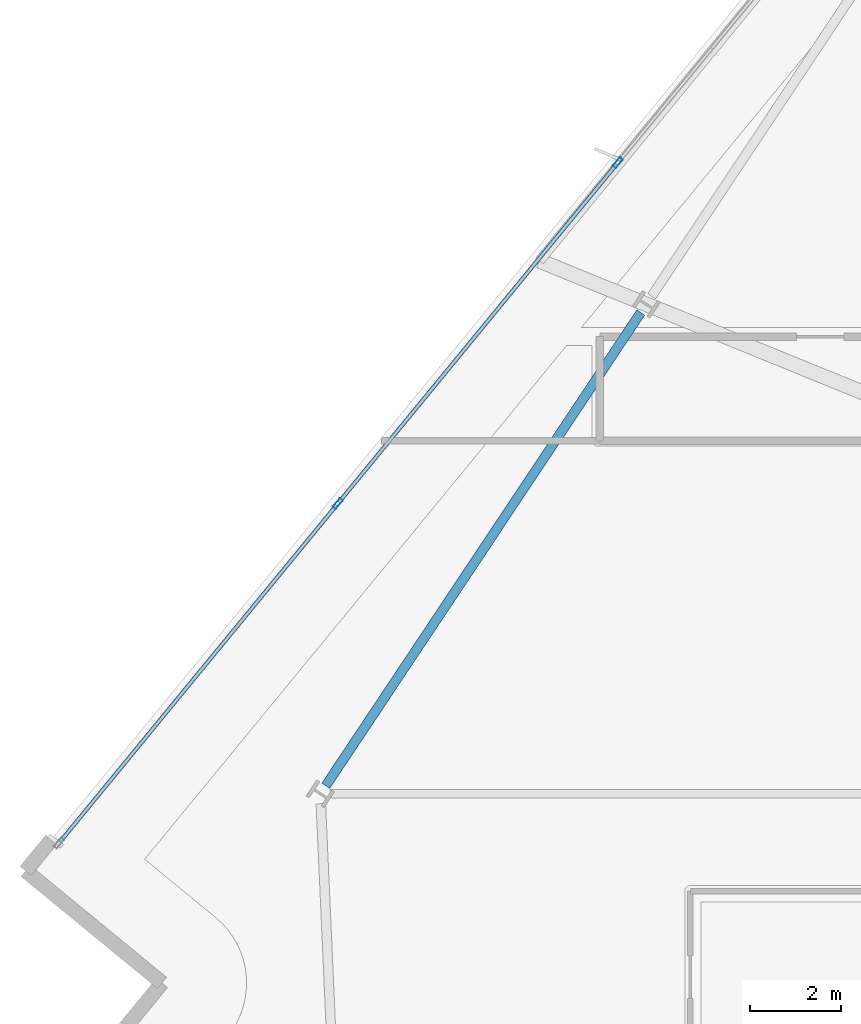
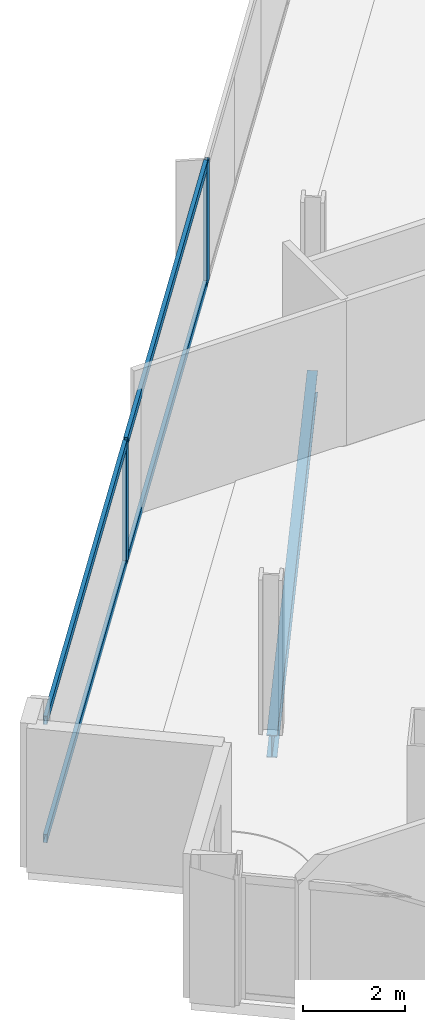
# One storey, part 13 of 28: 6 members, 1 beam, 1 element without a shape of its own.
"""IFC4 building model written with IfcOpenShell, lengths in metres."""

from ifc_helpers import new_model, si_unit, direction, frame, origin, origin_2d, place, context, subcontext, project, spatial, hollow_rectangle, i_section, extrude, material, material_profile, profile_set, type_object, element, aggregate, save


model = new_model("IFC4")

# Units and contexts
model_context = context("Model", 3, precision=1e-05, world=origin(), true_north=direction((0.0, 1.0)))
body_context = subcontext(model_context, "Body", "Model", "MODEL_VIEW")
ifc_project = project(units=[si_unit("LENGTHUNIT", "METRE"), si_unit("AREAUNIT", "SQUARE_METRE"), si_unit("VOLUMEUNIT", "CUBIC_METRE"), si_unit("PLANEANGLEUNIT", "RADIAN"), si_unit("MASSUNIT", "GRAM", prefix="KILO")], contexts=[model_context])

# Site, building, storey
site_placement = place(None, origin())
site = spatial("IfcSite", under=ifc_project, at=site_placement, CompositionType="ELEMENT")
building_placement = place(site_placement, origin())
building = spatial("IfcBuilding", under=site, at=building_placement, Name="Haldenkirk Collegiate Tower", CompositionType="ELEMENT")
storey_placement = place(building_placement, frame((0.0, 0.0, 198.449951171875)))
storey = spatial("IfcBuildingStorey", under=building, at=storey_placement, Name="L49", CompositionType="ELEMENT", Elevation=198.449951171875)

# Beam
ifc_material_1 = material(Name="Steel ASTM A992 Grade 50", Category="steel")
ifc_material_profile_1 = material_profile(ifc_material_1, i_section(OverallWidth=0.2099609375, OverallDepth=0.537109375, WebThickness=0.010986328125, FlangeThickness=0.017333984375, at=origin_2d()), Name="W21X68")
ifc_profile_set_1 = profile_set([ifc_material_profile_1], Name="Steel ASTM A992 Grade 50")
beam_type = type_object("IfcBeamType", Name="BM-SPANDREL-W21X68", PredefinedType="SPANDREL", material=ifc_profile_set_1)
beam_placement = place(storey_placement, frame((19.106201171875, 36.98486328125, -0.54833984375), z_axis=(-0.554117024454, -0.832438780458, 0.0), x_axis=(0.832438780458, -0.554117024454, 0.0)))
element("IfcBeam", 1, at=beam_placement, inside=storey, type_object=beam_type, Name="L49 perimeter spandrel beam 11", PredefinedType="SPANDREL", context=body_context, shape_type="SweptSolid", body=[
    extrude(i_section(OverallWidth=0.2099609375, OverallDepth=0.537109375, WebThickness=0.010986328125, FlangeThickness=0.017333984375, at=origin_2d()), origin(), (0.0, 0.0, 1.0), 12.562255859375),
])

# Curtain wall, members
ifc_material_2 = material(Name="Anodised architectural bronze aluminium", Category="aluminium")
curtain_wall_type = type_object("IfcCurtainWallType", Name="CW-SYS1B-CONVEX-HI", PredefinedType="USERDEFINED", material=ifc_material_2)
curtain_wall_placement = place(storey_placement, origin())
curtain_wall = element("IfcCurtainWall", 2, at=curtain_wall_placement, inside=storey, type_object=curtain_wall_type, Name="L49 Upper tower high-wind convex bronze unitised curtain wall", ObjectType="UNITISED CURTAIN WALL", PredefinedType="USERDEFINED")
ifc_material_profile_2 = material_profile(ifc_material_2, hollow_rectangle(XDim=0.0849609375, YDim=0.25, WallThickness=0.0048828125, at=origin_2d()), Name="CW-MUL-1B")
ifc_profile_set_2 = profile_set([ifc_material_profile_2], Name="Anodised architectural bronze aluminium")
member_type_1 = type_object("IfcMemberType", Name="CW-MUL-1B", PredefinedType="MULLION", material=ifc_profile_set_2)
member_1_placement = place(storey_placement, frame((12.409423828125, 32.760009765625, 0.0), z_axis=(0.0, 0.0, 1.0), x_axis=(-0.772732318121, 0.634732041519, 0.0)))
member_1 = element("IfcMember", 3, at=member_1_placement, type_object=member_type_1, Name="CW-1B mullion 2", PredefinedType="MULLION", context=body_context, shape_type="SweptSolid", body=[
    extrude(hollow_rectangle(XDim=0.0849609375, YDim=0.25, WallThickness=0.0048828125, at=origin_2d()), origin(), (0.0, 0.0, 1.0), 2.927978515625),
])
member_2_placement = place(storey_placement, frame((18.59814453125, 40.2939453125, 0.0), z_axis=(0.0, 0.0, 1.0), x_axis=(-0.772732318121, 0.634732041519, 0.0)))
member_2 = element("IfcMember", 4, at=member_2_placement, type_object=member_type_1, Name="CW-1B mullion 3", PredefinedType="MULLION", context=body_context, shape_type="SweptSolid", body=[
    extrude(hollow_rectangle(XDim=0.0849609375, YDim=0.25, WallThickness=0.0048828125, at=origin_2d()), origin(), (0.0, 0.0, 1.0), 2.927978515625),
])
ifc_material_profile_3 = material_profile(ifc_material_2, hollow_rectangle(XDim=0.0849609375, YDim=0.199951171875, WallThickness=0.0048828125, at=origin_2d()), Name="CW-TRN-1B")
ifc_profile_set_3 = profile_set([ifc_material_profile_3], Name="Anodised architectural bronze aluminium")
member_type_2 = type_object("IfcMemberType", Name="CW-TRN-1B", PredefinedType="USERDEFINED", material=ifc_profile_set_3)
member_3_placement = place(storey_placement, frame((6.274658203125, 25.29150390625, 0.04248046875), z_axis=(0.634748080214, 0.772719143457, 0.0), x_axis=(-0.772719143457, 0.634748080214, 0.0)))
member_3 = element("IfcMember", 5, at=member_3_placement, type_object=member_type_2, Name="CW-1B transom 1.1", ObjectType="TRANSOM", PredefinedType="USERDEFINED", context=body_context, shape_type="SweptSolid", body=[
    extrude(hollow_rectangle(XDim=0.0849609375, YDim=0.199951171875, WallThickness=0.0048828125, at=origin_2d()), origin(), (0.0, 0.0, 1.0), 9.62255859375),
])
member_4_placement = place(storey_placement, frame((6.274658203125, 25.29150390625, 2.885498046875), z_axis=(0.634748080214, 0.772719143457, 0.0), x_axis=(-0.772719143457, 0.634748080214, 0.0)))
member_4 = element("IfcMember", 6, at=member_4_placement, type_object=member_type_2, Name="CW-1B transom 1.2", ObjectType="TRANSOM", PredefinedType="USERDEFINED", context=body_context, shape_type="SweptSolid", body=[
    extrude(hollow_rectangle(XDim=0.0849609375, YDim=0.199951171875, WallThickness=0.0048828125, at=origin_2d()), origin(), (0.0, 0.0, 1.0), 9.62255859375),
])
member_5_placement = place(storey_placement, frame((12.436279296875, 32.792724609375, 0.04248046875), z_axis=(0.634734575265, 0.772730236864, 0.0), x_axis=(-0.772730236864, 0.634734575265, 0.0)))
member_5 = element("IfcMember", 7, at=member_5_placement, type_object=member_type_2, Name="CW-1B transom 2.1", ObjectType="TRANSOM", PredefinedType="USERDEFINED", context=body_context, shape_type="SweptSolid", body=[
    extrude(hollow_rectangle(XDim=0.0849609375, YDim=0.199951171875, WallThickness=0.0048828125, at=origin_2d()), origin(), (0.0, 0.0, 1.0), 9.6650390625),
])
member_6_placement = place(storey_placement, frame((12.436279296875, 32.792724609375, 2.885498046875), z_axis=(0.634734575265, 0.772730236864, 0.0), x_axis=(-0.772730236864, 0.634734575265, 0.0)))
member_6 = element("IfcMember", 8, at=member_6_placement, type_object=member_type_2, Name="CW-1B transom 2.2", ObjectType="TRANSOM", PredefinedType="USERDEFINED", context=body_context, shape_type="SweptSolid", body=[
    extrude(hollow_rectangle(XDim=0.0849609375, YDim=0.199951171875, WallThickness=0.0048828125, at=origin_2d()), origin(), (0.0, 0.0, 1.0), 9.6650390625),
])
aggregate(curtain_wall, [member_1, member_2, member_3, member_4, member_5, member_6])

save(model, "model.ifc")
